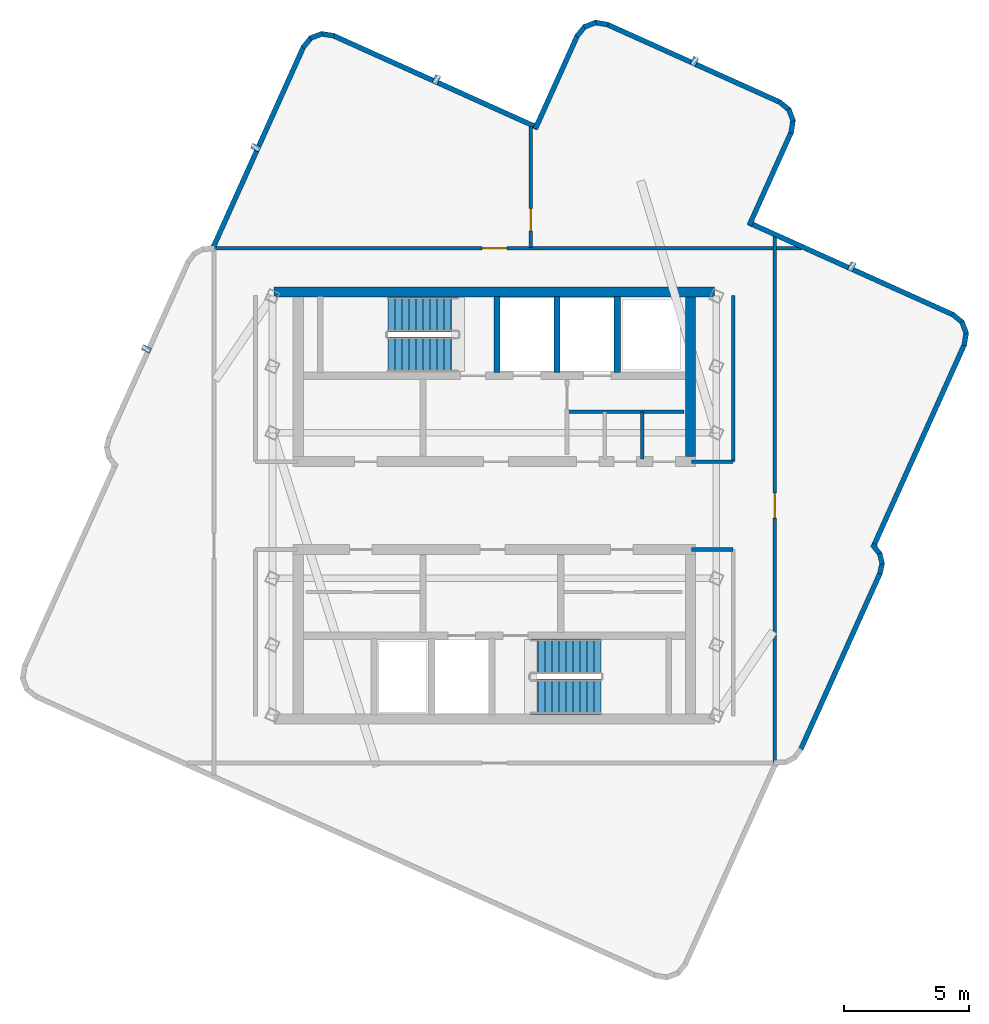
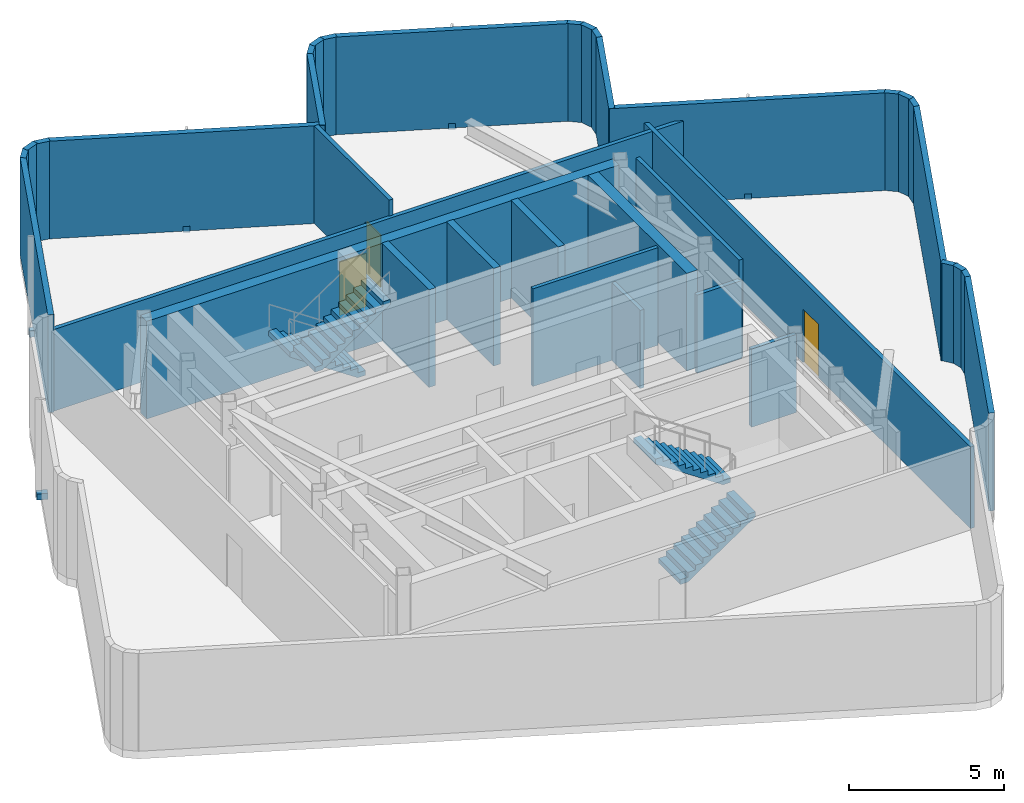
# One storey, part 3 of 4: 36 walls, 5 discrete accessories, 4 stair flights, 3 doors, 3 openings, 2 elements without a shape of their own.
"""IFC4 building model written with IfcOpenShell, lengths in metres."""

import ifcopenshell
import ifcopenshell.guid

model = None  # the IFC model being written
_history = None  # IfcOwnerHistory: only IFC2X3 demands one
_inside = {}  # id of a spatial element -> (the spatial element, [elements in it])
_under = {}  # id of a project, library or spatial element -> (it, [spatial elements below it])
_declared = {}  # id of a project -> (the project, [libraries it declares])
_typed = {}  # id of a type object -> (the type object, [elements of that type])
_made_of = {}  # id of a material, layer set ... -> (it, [elements and type objects made of it])


def new_model(schema):
    """Start an empty IFC model of exactly this schema.

    Asked for "IFC4X3", IfcOpenShell would pick the latest addendum, in which some entities
    have other attributes; the version numbers below select the first issue.
    IFC2X3 requires an IfcOwnerHistory on every rooted entity: one is made here for all.
    """
    global model, _history
    if schema == "IFC4X3":
        model = ifcopenshell.file(schema_version=(4, 3, 0, 0))
    else:
        model = ifcopenshell.file(schema=schema)
    _inside.clear()
    _under.clear()
    _declared.clear()
    _typed.clear()
    _made_of.clear()
    _history = None
    if model.schema == "IFC2X3":
        org = make("IfcOrganization", Name="unknown")
        user = make(
            "IfcPersonAndOrganization",
            ThePerson=make("IfcPerson", FamilyName="unknown"),
            TheOrganization=org,
        )
        app = make(
            "IfcApplication",
            ApplicationDeveloper=org,
            Version="unknown",
            ApplicationFullName="unknown",
            ApplicationIdentifier="unknown",
        )
        _history = make(
            "IfcOwnerHistory",
            OwningUser=user,
            OwningApplication=app,
            ChangeAction="ADDED",
            CreationDate=0,
        )
    return model


def make(cls, **values):
    """One entity of the class cls with the attributes given. An attribute that is None is left unset."""
    return model.create_entity(
        cls, **{name: value for name, value in values.items() if value is not None}
    )


def rooted(cls, **values):
    """An entity with a GlobalId (a new one), such as an element, a storey or a relation."""
    return make(cls, GlobalId=ifcopenshell.guid.new(), OwnerHistory=_history, **values)


def si_unit(unit_type, name, prefix=None):
    """IfcSIUnit, for example si_unit("LENGTHUNIT", "METRE", prefix="MILLI")."""
    return make("IfcSIUnit", UnitType=unit_type, Prefix=prefix, Name=name)


def assignment(units):
    """IfcUnitAssignment: the units of a project."""
    return None if units is None else make("IfcUnitAssignment", Units=units)


def point(xyz):
    """IfcCartesianPoint."""
    return None if xyz is None else make("IfcCartesianPoint", Coordinates=xyz)


def direction(xyz):
    """IfcDirection."""
    return None if xyz is None else make("IfcDirection", DirectionRatios=xyz)


def frame(location, z_axis=None, x_axis=None):
    """IfcAxis2Placement3D, a coordinate frame: its origin and axes. An axis left out is left unset."""
    return make(
        "IfcAxis2Placement3D",
        Location=point(location),
        Axis=direction(z_axis),
        RefDirection=direction(x_axis),
    )


def frame_2d(location, x_axis=None):
    """IfcAxis2Placement2D, a coordinate frame in the plane: its origin and x axis."""
    return make(
        "IfcAxis2Placement2D", Location=point(location), RefDirection=direction(x_axis)
    )


def origin():
    """The frame at (0, 0, 0) with its axes left unset."""
    return frame((0.0, 0.0, 0.0))


def origin_2d():
    """The frame at (0, 0) in the plane with its x axis left unset."""
    return frame_2d((0.0, 0.0))


def place(relative_to, where):
    """IfcLocalPlacement: puts the frame where relative to a parent placement (None: the world)."""
    return make(
        "IfcLocalPlacement", PlacementRelTo=relative_to, RelativePlacement=where
    )


def context(
    kind, dimensions, precision=None, world=None, true_north=None, identifier=None
):
    """IfcGeometricRepresentationContext, for example the 3D "Model" context."""
    return make(
        "IfcGeometricRepresentationContext",
        ContextIdentifier=identifier,
        ContextType=kind,
        CoordinateSpaceDimension=dimensions,
        Precision=precision,
        WorldCoordinateSystem=world,
        TrueNorth=true_north,
    )


def subcontext(parent, identifier, kind, view, scale=None):
    """IfcGeometricRepresentationSubContext, for example "Body" below "Model"."""
    return make(
        "IfcGeometricRepresentationSubContext",
        ContextIdentifier=identifier,
        ContextType=kind,
        ParentContext=parent,
        TargetScale=scale,
        TargetView=view,
    )


def project(units=None, contexts=None):
    """IfcProject with its units and contexts."""
    return rooted(
        "IfcProject",
        Name="project",
        RepresentationContexts=contexts,
        UnitsInContext=assignment(units),
    )


def spatial(cls, under=None, at=None, **own):
    """A site, building, storey or space (cls), placed at a placement, below another one or the project."""
    s = rooted(cls, ObjectPlacement=at, **own)
    if under is not None:
        _under.setdefault(under.id(), (under, []))[1].append(s)
    return s


def polyline(points):
    """IfcPolyline through the points."""
    return make("IfcPolyline", Points=[point(p) for p in points])


def profile(cls, at=None, kind="AREA", **sizes):
    """A parametric profile (cls). Its sizes go by their IFC names, for example OverallWidth=200.0."""
    return make(cls, ProfileType=kind, Position=at, **sizes)


def rectangle(**sizes):
    """IfcRectangleProfileDef."""
    return profile("IfcRectangleProfileDef", **sizes)


def outline(outer, holes=None, kind="AREA"):
    """IfcArbitraryClosedProfileDef: a profile drawn as a closed curve; with holes, ...WithVoids."""
    if holes is None:
        return make("IfcArbitraryClosedProfileDef", ProfileType=kind, OuterCurve=outer)
    return make(
        "IfcArbitraryProfileDefWithVoids",
        ProfileType=kind,
        OuterCurve=outer,
        InnerCurves=holes,
    )


def extrude(swept, where, along, depth):
    """IfcExtrudedAreaSolid: the profile swept, set in the frame where, extruded along a direction by depth."""
    return make(
        "IfcExtrudedAreaSolid",
        SweptArea=swept,
        Position=where,
        ExtrudedDirection=direction(along),
        Depth=depth,
    )


def shape(context_of_items, identifier, shape_type, items):
    """IfcShapeRepresentation: the items that make up one representation, for example the "Body"."""
    return make(
        "IfcShapeRepresentation",
        ContextOfItems=context_of_items,
        RepresentationIdentifier=identifier,
        RepresentationType=shape_type,
        Items=items,
    )


def material(Name=None, Category=None):
    """IfcMaterial."""
    return make("IfcMaterial", Name=Name, Category=Category)


def layer(
    of_material, thickness, ventilated=None, Name=None, Category=None, Priority=None
):
    """IfcMaterialLayer: one layer of a wall or slab, of a material (None: an air gap)."""
    return make(
        "IfcMaterialLayer",
        Material=of_material,
        LayerThickness=thickness,
        IsVentilated=ventilated,
        Name=Name,
        Category=Category,
        Priority=Priority,
    )


def layer_set(layers, Name=None):
    """IfcMaterialLayerSet."""
    return make("IfcMaterialLayerSet", MaterialLayers=layers, LayerSetName=Name)


def made_of(thing, what):
    """Note that an element or type object is made of a material, layer set ...; save() writes the relation."""
    if what is not None:
        _made_of.setdefault(what.id(), (what, []))[1].append(thing)
    return thing


def type_object(cls, material=None, **own):
    """A type object (cls), such as IfcWallType, which elements share."""
    return made_of(rooted(cls, **own), material)


def element(
    cls,
    number,
    at=None,
    inside=None,
    cuts=None,
    type_object=None,
    material=None,
    context=None,
    identifier="Body",
    shape_type=None,
    held_by="IfcProductDefinitionShape",
    body=None,
    shapes=None,
    **own,
):
    """One element of the class cls, such as IfcWall. Its Tag is "e" and its number.

    at: its placement. inside: the storey or other place that contains it. cuts: it is an
    opening in that element (IfcRelVoidsElement). A single representation is given by context,
    identifier, shape_type and body (its items); several are given by shapes. held_by: the class
    of the entity that holds the representations. save() writes the other relations.
    """
    e = rooted(cls, Tag="e%d" % number, ObjectPlacement=at, **own)
    if body is not None:
        shapes = [shape(context, identifier, shape_type, body)]
    if shapes is not None:
        e.Representation = make(held_by, Representations=shapes)
    if inside is not None:
        _inside.setdefault(inside.id(), (inside, []))[1].append(e)
    if cuts is not None:
        rooted(
            "IfcRelVoidsElement", RelatingBuildingElement=cuts, RelatedOpeningElement=e
        )
    if type_object is not None:
        _typed.setdefault(type_object.id(), (type_object, []))[1].append(e)
    return made_of(e, material)


def fill(opening, filler):
    """IfcRelFillsElement: the door or window that sits in an opening."""
    return rooted(
        "IfcRelFillsElement",
        RelatingOpeningElement=opening,
        RelatedBuildingElement=filler,
    )


def aggregate(whole, parts):
    """IfcRelAggregates: a whole, such as a stair, and the parts it consists of."""
    return rooted("IfcRelAggregates", RelatingObject=whole, RelatedObjects=parts)


def save(model, path):
    """Write the relations noted so far, then the file.

    IfcRelAggregates (storeys below a building ...), IfcRelContainedInSpatialStructure (elements
    in a storey), IfcRelDefinesByType, IfcRelAssociatesMaterial and IfcRelDeclares: one each for
    every whole, place, type object, material and project.
    """
    for whole, parts in _under.values():
        aggregate(whole, parts)
    for where, things in _inside.values():
        rooted(
            "IfcRelContainedInSpatialStructure",
            RelatedElements=things,
            RelatingStructure=where,
        )
    for kind, things in _typed.values():
        rooted("IfcRelDefinesByType", RelatedObjects=things, RelatingType=kind)
    for what, things in _made_of.values():
        rooted("IfcRelAssociatesMaterial", RelatedObjects=things, RelatingMaterial=what)
    for by, libraries in _declared.values():
        rooted("IfcRelDeclares", RelatingContext=by, RelatedDefinitions=libraries)
    model.write(path)


model = new_model("IFC4")

# Units and contexts
model_context = context("Model", 3, precision=1e-05, world=origin(), true_north=direction((0.0, 1.0)))
body_context = subcontext(model_context, "Body", "Model", "MODEL_VIEW")
ifc_project = project(units=[si_unit("LENGTHUNIT", "METRE"), si_unit("AREAUNIT", "SQUARE_METRE"), si_unit("VOLUMEUNIT", "CUBIC_METRE"), si_unit("PLANEANGLEUNIT", "RADIAN"), si_unit("MASSUNIT", "GRAM", prefix="KILO")], contexts=[model_context])

# Site, building, storey
site_placement = place(None, origin())
site = spatial("IfcSite", under=ifc_project, at=site_placement, CompositionType="ELEMENT")
building_placement = place(site_placement, origin())
building = spatial("IfcBuilding", under=site, at=building_placement, Name="Solmarez Civic Tower", CompositionType="ELEMENT")
storey_placement = place(building_placement, frame((0.0, 0.0, 297.5400390625)))
storey = spatial("IfcBuildingStorey", under=building, at=storey_placement, Name="L80 Crown", CompositionType="ELEMENT", Elevation=297.5400390625)

# Walls
ifc_material_1 = material(Name="Concrete C50/60", Category="concrete")
ifc_layer_1 = layer(ifc_material_1, 0.39990234375)
ifc_layer_set_1 = layer_set([ifc_layer_1], Name="Concrete C50/60")
wall_type_1 = type_object("IfcWallType", Name="WALL-CORE-400", PredefinedType="SHEAR", material=ifc_layer_set_1)
wall_1_placement = place(storey_placement, frame((-8.780029296875, 8.510009765625, 0.0), z_axis=(0.0, 0.0, 1.0), x_axis=(1.0, 0.0, 0.0)))
element("IfcWall", 1, at=wall_1_placement, inside=storey, type_object=wall_type_1, Name="L80 Crown Split-Core Structural Wall NCW-N-L80 Crown", PredefinedType="SHEAR", context=body_context, shape_type="SweptSolid", body=[
    extrude(rectangle(XDim=17.56005859375, YDim=0.39990234375, at=frame_2d((8.780029296875, 0.0))), origin(), (0.0, 0.0, 1.0), 3.83984375),
])
wall_2_placement = place(storey_placement, frame((7.820068359375, 8.31005859375, 0.0), z_axis=(0.0, 0.0, 1.0), x_axis=(0.0, -1.0, 0.0)))
element("IfcWall", 2, at=wall_2_placement, inside=storey, type_object=wall_type_1, Name="L80 Crown Split-Core Structural Wall NCW-E-L80 Crown", PredefinedType="SHEAR", context=body_context, shape_type="SweptSolid", body=[
    extrude(rectangle(XDim=6.360107421875, YDim=0.39990234375, at=frame_2d((3.18017578125, 0.0))), origin(), (0.0, 0.0, 1.0), 3.83984375),
])
ifc_material_2 = material(Name="Precast concrete C40/50", Category="concrete")
ifc_layer_2 = layer(ifc_material_2, 0.199951171875)
ifc_layer_set_2 = layer_set([ifc_layer_2], Name="Precast concrete C40/50")
wall_type_2 = type_object("IfcWallType", Name="WALL-EXT-200", PredefinedType="SOLIDWALL", material=ifc_layer_set_2)
wall_3_placement = place(storey_placement, frame((-11.263916015625, 10.178955078125, 0.0), z_axis=(0.0, 0.0, 1.0), x_axis=(0.410547059118, 0.911839411437, 0.0)))
element("IfcWall", 3, at=wall_3_placement, inside=storey, type_object=wall_type_2, Name="L80 Crown Exterior Precast Wall 10", PredefinedType="SOLIDWALL", context=body_context, shape_type="SweptSolid", body=[
    extrude(rectangle(XDim=8.9052734375, YDim=0.199951171875, at=frame_2d((4.45263671875, 0.0))), origin(), (0.0, 0.0, 1.0), 3.83984375),
])
wall_4_placement = place(storey_placement, frame((-7.634033203125, 18.257080078125, 0.0), z_axis=(0.0, 0.0, 1.0), x_axis=(0.63346470779, 0.773771583857, 0.0)))
element("IfcWall", 4, at=wall_4_placement, inside=storey, type_object=wall_type_2, Name="L80 Crown Exterior Precast Wall 11", PredefinedType="SOLIDWALL", context=body_context, shape_type="SweptSolid", body=[
    extrude(rectangle(XDim=0.52734375, YDim=0.199951171875, at=frame_2d((0.263671875, 0.0))), origin(), (0.0, 0.0, 1.0), 3.83984375),
])
wall_5_placement = place(storey_placement, frame((-7.339111328125, 18.636962890625, 0.0), z_axis=(0.0, 0.0, 1.0), x_axis=(0.935013831521, 0.354611244695, 0.0)))
element("IfcWall", 5, at=wall_5_placement, inside=storey, type_object=wall_type_2, Name="L80 Crown Exterior Precast Wall 12", PredefinedType="SOLIDWALL", context=body_context, shape_type="SweptSolid", body=[
    extrude(rectangle(XDim=0.513671875, YDim=0.199951171875, at=frame_2d((0.2568359375, 0.0))), origin(), (0.0, 0.0, 1.0), 3.83984375),
])
wall_6_placement = place(storey_placement, frame((-6.906982421875, 18.81396484375, 0.0), z_axis=(0.0, 0.0, 1.0), x_axis=(0.987255192858, -0.159145166984, 0.0)))
element("IfcWall", 6, at=wall_6_placement, inside=storey, type_object=wall_type_2, Name="L80 Crown Exterior Precast Wall 13", PredefinedType="SOLIDWALL", context=body_context, shape_type="SweptSolid", body=[
    extrude(rectangle(XDim=0.52783203125, YDim=0.199951171875, at=frame_2d((0.263916015625, 0.0))), origin(), (0.0, 0.0, 1.0), 3.83984375),
])
wall_7_placement = place(storey_placement, frame((-6.43408203125, 18.743896484375, 0.0), z_axis=(0.0, 0.0, 1.0), x_axis=(0.911836374838, -0.410553803445, 0.0)))
element("IfcWall", 7, at=wall_7_placement, inside=storey, type_object=wall_type_2, Name="L80 Crown Exterior Precast Wall 14", PredefinedType="SOLIDWALL", context=body_context, shape_type="SweptSolid", body=[
    extrude(rectangle(XDim=8.96337890625, YDim=0.199951171875, at=frame_2d((4.481689453125, 0.0))), origin(), (0.0, 0.0, 1.0), 3.83984375),
])
wall_8_placement = place(storey_placement, frame((1.633056640625, 15.02392578125, 0.0), z_axis=(0.0, 0.0, 1.0), x_axis=(0.410578530723, 0.911825240991, 0.0)))
element("IfcWall", 8, at=wall_8_placement, inside=storey, type_object=wall_type_2, Name="L80 Crown Exterior Precast Wall 17", PredefinedType="SOLIDWALL", context=body_context, shape_type="SweptSolid", body=[
    extrude(rectangle(XDim=4.08203125, YDim=0.199951171875, at=frame_2d((2.041015625, 0.0))), origin(), (0.0, 0.0, 1.0), 3.83984375),
])
wall_9_placement = place(storey_placement, frame((3.282958984375, 18.7041015625, 0.0), z_axis=(0.0, 0.0, 1.0), x_axis=(0.63346470779, 0.773771583857, 0.0)))
element("IfcWall", 9, at=wall_9_placement, inside=storey, type_object=wall_type_2, Name="L80 Crown Exterior Precast Wall 18", PredefinedType="SOLIDWALL", context=body_context, shape_type="SweptSolid", body=[
    extrude(rectangle(XDim=0.52734375, YDim=0.199951171875, at=frame_2d((0.263671875, 0.0))), origin(), (0.0, 0.0, 1.0), 3.83984375),
])
wall_10_placement = place(storey_placement, frame((3.577880859375, 19.083984375, 0.0), z_axis=(0.0, 0.0, 1.0), x_axis=(0.934382341008, 0.356271863628, 0.0)))
element("IfcWall", 10, at=wall_10_placement, inside=storey, type_object=wall_type_2, Name="L80 Crown Exterior Precast Wall 19", PredefinedType="SOLIDWALL", context=body_context, shape_type="SweptSolid", body=[
    extrude(rectangle(XDim=0.513916015625, YDim=0.199951171875, at=frame_2d((0.2568359375, 0.0))), origin(), (0.0, 0.0, 1.0), 3.83984375),
])
wall_11_placement = place(storey_placement, frame((4.010009765625, 19.261962890625, 0.0), z_axis=(0.0, 0.0, 1.0), x_axis=(0.986962883563, -0.160948024124, 0.0)))
element("IfcWall", 11, at=wall_11_placement, inside=storey, type_object=wall_type_2, Name="L80 Crown Exterior Precast Wall 20", PredefinedType="SOLIDWALL", context=body_context, shape_type="SweptSolid", body=[
    extrude(rectangle(XDim=0.52783203125, YDim=0.199951171875, at=frame_2d((0.263916015625, 0.0))), origin(), (0.0, 0.0, 1.0), 3.83984375),
])
wall_12_placement = place(storey_placement, frame((4.48291015625, 19.19091796875, 0.0), z_axis=(0.0, 0.0, 1.0), x_axis=(0.911897403985, -0.410418231327, 0.0)))
element("IfcWall", 12, at=wall_12_placement, inside=storey, type_object=wall_type_2, Name="L80 Crown Exterior Precast Wall 21", PredefinedType="SOLIDWALL", context=body_context, shape_type="SweptSolid", body=[
    extrude(rectangle(XDim=7.58203125, YDim=0.199951171875, at=frame_2d((3.791015625, 0.0))), origin(), (0.0, 0.0, 1.0), 3.83984375),
])
wall_13_placement = place(storey_placement, frame((11.35498046875, 16.10498046875, 0.0), z_axis=(0.0, 0.0, 1.0), x_axis=(0.773771583857, -0.63346470779, 0.0)))
element("IfcWall", 13, at=wall_13_placement, inside=storey, type_object=wall_type_2, Name="L80 Crown Exterior Precast Wall 22", PredefinedType="SOLIDWALL", context=body_context, shape_type="SweptSolid", body=[
    extrude(rectangle(XDim=0.52734375, YDim=0.199951171875, at=frame_2d((0.263671875, 0.0))), origin(), (0.0, 0.0, 1.0), 3.83984375),
])
wall_14_placement = place(storey_placement, frame((11.735107421875, 15.81005859375, 0.0), z_axis=(0.0, 0.0, 1.0), x_axis=(0.354353107799, -0.935111691186, 0.0)))
element("IfcWall", 14, at=wall_14_placement, inside=storey, type_object=wall_type_2, Name="L80 Crown Exterior Precast Wall 23", PredefinedType="SOLIDWALL", context=body_context, shape_type="SweptSolid", body=[
    extrude(rectangle(XDim=0.51318359375, YDim=0.199951171875, at=frame_2d((0.256591796875, 0.0))), origin(), (0.0, 0.0, 1.0), 3.83984375),
])
wall_15_placement = place(storey_placement, frame((11.912109375, 15.3779296875, 0.0), z_axis=(0.0, 0.0, 1.0), x_axis=(-0.15930502645, -0.987229410293, 0.0)))
element("IfcWall", 15, at=wall_15_placement, inside=storey, type_object=wall_type_2, Name="L80 Crown Exterior Precast Wall 24", PredefinedType="SOLIDWALL", context=body_context, shape_type="SweptSolid", body=[
    extrude(rectangle(XDim=0.52880859375, YDim=0.199951171875, at=frame_2d((0.264404296875, 0.0))), origin(), (0.0, 0.0, 1.0), 3.83984375),
])
wall_16_placement = place(storey_placement, frame((11.842041015625, 14.904052734375, 0.0), z_axis=(0.0, 0.0, 1.0), x_axis=(-0.410578530723, -0.911825240991, 0.0)))
element("IfcWall", 16, at=wall_16_placement, inside=storey, type_object=wall_type_2, Name="L80 Crown Exterior Precast Wall 25", PredefinedType="SOLIDWALL", context=body_context, shape_type="SweptSolid", body=[
    extrude(rectangle(XDim=4.08203125, YDim=0.199951171875, at=frame_2d((2.041015625, 0.0))), origin(), (0.0, 0.0, 1.0), 3.83984375),
])
wall_17_placement = place(storey_placement, frame((10.1259765625, 11.2880859375, 0.0), z_axis=(0.0, 0.0, 1.0), x_axis=(0.911826178024, -0.410576449728, 0.0)))
element("IfcWall", 17, at=wall_17_placement, inside=storey, type_object=wall_type_2, Name="L80 Crown Exterior Precast Wall 28", PredefinedType="SOLIDWALL", context=body_context, shape_type="SweptSolid", body=[
    extrude(rectangle(XDim=8.96337890625, YDim=0.199951171875, at=frame_2d((4.481689453125, 0.0))), origin(), (0.0, 0.0, 1.0), 3.83984375),
])
wall_18_placement = place(storey_placement, frame((18.257080078125, 7.634033203125, 0.0), z_axis=(0.0, 0.0, 1.0), x_axis=(0.773771583857, -0.63346470779, 0.0)))
element("IfcWall", 18, at=wall_18_placement, inside=storey, type_object=wall_type_2, Name="L80 Crown Exterior Precast Wall 29", PredefinedType="SOLIDWALL", context=body_context, shape_type="SweptSolid", body=[
    extrude(rectangle(XDim=0.52734375, YDim=0.199951171875, at=frame_2d((0.263671875, 0.0))), origin(), (0.0, 0.0, 1.0), 3.83984375),
])
wall_19_placement = place(storey_placement, frame((18.636962890625, 7.339111328125, 0.0), z_axis=(0.0, 0.0, 1.0), x_axis=(0.354611244695, -0.935013831521, 0.0)))
element("IfcWall", 19, at=wall_19_placement, inside=storey, type_object=wall_type_2, Name="L80 Crown Exterior Precast Wall 30", PredefinedType="SOLIDWALL", context=body_context, shape_type="SweptSolid", body=[
    extrude(rectangle(XDim=0.513671875, YDim=0.199951171875, at=frame_2d((0.2568359375, 0.0))), origin(), (0.0, 0.0, 1.0), 3.83984375),
])
wall_20_placement = place(storey_placement, frame((18.81396484375, 6.906982421875, 0.0), z_axis=(0.0, 0.0, 1.0), x_axis=(-0.159145166984, -0.987255192858, 0.0)))
element("IfcWall", 20, at=wall_20_placement, inside=storey, type_object=wall_type_2, Name="L80 Crown Exterior Precast Wall 31", PredefinedType="SOLIDWALL", context=body_context, shape_type="SweptSolid", body=[
    extrude(rectangle(XDim=0.52783203125, YDim=0.199951171875, at=frame_2d((0.263916015625, 0.0))), origin(), (0.0, 0.0, 1.0), 3.83984375),
])
wall_21_placement = place(storey_placement, frame((18.743896484375, 6.43408203125, 0.0), z_axis=(0.0, 0.0, 1.0), x_axis=(-0.410506010515, -0.911857892071, 0.0)))
element("IfcWall", 21, at=wall_21_placement, inside=storey, type_object=wall_type_2, Name="L80 Crown Exterior Precast Wall 32", PredefinedType="SOLIDWALL", context=body_context, shape_type="SweptSolid", body=[
    extrude(rectangle(XDim=8.906005859375, YDim=0.199951171875, at=frame_2d((4.453125, 0.0))), origin(), (0.0, 0.0, 1.0), 3.83984375),
])
wall_22_placement = place(storey_placement, frame((15.071044921875, -1.551025390625, 0.0), z_axis=(0.0, 0.0, 1.0), x_axis=(0.621271987863, -0.783594995579, 0.0)))
element("IfcWall", 22, at=wall_22_placement, inside=storey, type_object=wall_type_2, Name="L80 Crown Exterior Precast Wall 35", PredefinedType="SOLIDWALL", context=body_context, shape_type="SweptSolid", body=[
    extrude(rectangle(XDim=0.50537109375, YDim=0.199951171875, at=frame_2d((0.252685546875, 0.0))), origin(), (0.0, 0.0, 1.0), 3.83984375),
])
wall_23_placement = place(storey_placement, frame((15.363037109375, -1.903076171875, 0.0), z_axis=(0.0, 0.0, 1.0), x_axis=(0.230841504765, -0.972991366703, 0.0)))
element("IfcWall", 23, at=wall_23_placement, inside=storey, type_object=wall_type_2, Name="L80 Crown Exterior Precast Wall 36", PredefinedType="SOLIDWALL", context=body_context, shape_type="SweptSolid", body=[
    extrude(rectangle(XDim=0.437744140625, YDim=0.199951171875, at=frame_2d((0.21875, 0.0))), origin(), (0.0, 0.0, 1.0), 3.83984375),
])
wall_24_placement = place(storey_placement, frame((15.462890625, -2.281005859375, 0.0), z_axis=(0.0, 0.0, 1.0), x_axis=(-0.202605604036, -0.979260419507, 0.0)))
element("IfcWall", 24, at=wall_24_placement, inside=storey, type_object=wall_type_2, Name="L80 Crown Exterior Precast Wall 37", PredefinedType="SOLIDWALL", context=body_context, shape_type="SweptSolid", body=[
    extrude(rectangle(XDim=0.4482421875, YDim=0.199951171875, at=frame_2d((0.22412109375, 0.0))), origin(), (0.0, 0.0, 1.0), 3.83984375),
])
wall_25_placement = place(storey_placement, frame((15.386962890625, -2.673095703125, 0.0), z_axis=(0.0, 0.0, 1.0), x_axis=(-0.41050728393, -0.911857318795, 0.0)))
element("IfcWall", 25, at=wall_25_placement, inside=storey, type_object=wall_type_2, Name="L80 Crown Exterior Precast Wall 38", PredefinedType="SOLIDWALL", context=body_context, shape_type="SweptSolid", body=[
    extrude(rectangle(XDim=7.7587890625, YDim=0.199951171875, at=frame_2d((3.87939453125, 0.0))), origin(), (0.0, 0.0, 1.0), 3.83984375),
])
ifc_material_3 = material(Name="Gypsum Board Acoustic Steel-Stud Partition", Category="steel")
ifc_layer_3 = layer(ifc_material_3, 0.14990234375)
ifc_layer_set_3 = layer_set([ifc_layer_3], Name="Gypsum Board Acoustic Steel-Stud Partition")
wall_type_3 = type_object("IfcWallType", Name="WALL-INT-FIRE-150", PredefinedType="PARTITIONING", material=ifc_layer_set_3)
wall_26_placement = place(storey_placement, frame((9.52001953125, 1.75, 0.0), z_axis=(0.0, 0.0, 1.0), x_axis=(0.0, 1.0, 0.0)))
element("IfcWall", 26, at=wall_26_placement, inside=storey, type_object=wall_type_3, Name="L80 Crown Interior Partition CHW-L80 Crown-EN1", PredefinedType="PARTITIONING", context=body_context, shape_type="SweptSolid", body=[
    extrude(rectangle(XDim=6.6298828125, YDim=0.14990234375, at=frame_2d((3.31494140625, 0.0))), origin(), (0.0, 0.0, 1.0), 3.83984375),
])
for number, where, z_axis, x_axis, name in (
    (27, (7.85009765625, 1.75, 0.0), (0.0, 0.0, 1.0), (1.0, 0.0, 0.0), "L80 Crown Interior Partition CHW-L80 Crown-EN3"),
    (28, (7.85009765625, -1.75, 0.0), (0.0, 0.0, 1.0), (1.0, 0.0, 0.0), "L80 Crown Interior Partition CHW-L80 Crown-ES3"),
):
    element("IfcWall", number, at=place(storey_placement, frame(where, z_axis=z_axis, x_axis=x_axis)), inside=storey, type_object=wall_type_3, Name=name, PredefinedType="PARTITIONING", context=body_context, shape_type="SweptSolid", body=[
        extrude(rectangle(XDim=1.669921875, YDim=0.14990234375, at=frame_2d((0.8349609375, 0.0))), origin(), (0.0, 0.0, 1.0), 3.070068359375),
    ])

# Wall, opening, door
wall_27_placement = place(storey_placement, frame((11.179931640625, 10.741943359375, 0.0), z_axis=(0.0, 0.0, 1.0), x_axis=(0.0, -1.0, 0.0)))
wall_27 = element("IfcWall", 29, at=wall_27_placement, inside=storey, type_object=wall_type_3, Name="L80 Crown Interior Partition PT-L80 Crown-E", PredefinedType="PARTITIONING", context=body_context, shape_type="SweptSolid", body=[
    extrude(rectangle(XDim=21.02001953125, YDim=0.14990234375, at=frame_2d((10.510009765625, 0.0))), origin(), (0.0, 0.0, 1.0), 3.2099609375),
])
opening_1_placement = place(wall_27_placement, frame((10.241943359375, 0.0, 0.0)))
opening_1 = element("IfcOpeningElement", 30, at=opening_1_placement, cuts=wall_27, Name="Opening D-04", PredefinedType="OPENING", context=body_context, shape_type="SweptSolid", body=[
    extrude(rectangle(XDim=1.0, YDim=2.10009765625, at=frame_2d((0.5, 1.050048828125))), frame((0.0, 0.0849609375, 0.0), z_axis=(0.0, -1.0, 0.0), x_axis=(1.0, 0.0, 0.0)), (0.0, 0.0, 1.0), 0.169921875),
])
ifc_material_4 = material(Name="Steel-Faced Acoustic Fire Door", Category="steel")
door_type_1 = type_object("IfcDoorType", Name="DOOR-FD60-1000", OperationType="NOTDEFINED", PredefinedType="DOOR", material=ifc_material_4)
door_1_placement = place(opening_1_placement, origin())
door_1 = element("IfcDoor", 31, at=door_1_placement, inside=storey, type_object=door_type_1, Name="L80 Crown Crown Chiller Plant Room Door", OperationType="SINGLE_SWING_LEFT", OverallHeight=2.10009765625, OverallWidth=1.0, PredefinedType="DOOR", context=body_context, shape_type="SweptSolid", body=[
    extrude(rectangle(XDim=1.0, YDim=2.10009765625, at=frame_2d((0.5, 1.050048828125))), frame((0.0, 0.02490234375, 0.0), z_axis=(0.0, -1.0, 0.0), x_axis=(1.0, 0.0, 0.0)), (0.0, 0.0, 1.0), 0.050048828125),
])
fill(opening_1, door_1)

wall_28_placement = place(storey_placement, frame((-11.194091796875, 10.260009765625, 0.0), z_axis=(0.0, 0.0, 1.0), x_axis=(1.0, 0.0, 0.0)))
wall_28 = element("IfcWall", 32, at=wall_28_placement, inside=storey, type_object=wall_type_3, Name="L80 Crown Interior Partition PT-L80 Crown-N", PredefinedType="PARTITIONING", context=body_context, shape_type="SweptSolid", body=[
    extrude(rectangle(XDim=23.445068359375, YDim=0.14990234375, at=frame_2d((11.72265625, 0.0))), origin(), (0.0, 0.0, 1.0), 3.2099609375),
])
opening_2_placement = place(wall_28_placement, frame((10.694091796875, 0.0, 0.0)))
opening_2 = element("IfcOpeningElement", 33, at=opening_2_placement, cuts=wall_28, Name="Opening D-04", PredefinedType="OPENING", context=body_context, shape_type="SweptSolid", body=[
    extrude(rectangle(XDim=1.0, YDim=2.10009765625, at=frame_2d((0.5, 1.050048828125))), frame((0.0, 0.0849609375, 0.0), z_axis=(0.0, -1.0, 0.0), x_axis=(1.0, 0.0, 0.0)), (0.0, 0.0, 1.0), 0.169921875),
])
door_2_placement = place(opening_2_placement, origin())
door_2 = element("IfcDoor", 34, at=door_2_placement, inside=storey, type_object=door_type_1, Name="L80 Crown Cooling Tower Plant Room Door", OperationType="SINGLE_SWING_RIGHT", OverallHeight=2.10009765625, OverallWidth=1.0, PredefinedType="DOOR", context=body_context, shape_type="SweptSolid", body=[
    extrude(rectangle(XDim=1.0, YDim=2.10009765625, at=frame_2d((0.5, 1.050048828125))), frame((0.0, 0.02490234375, 0.0), z_axis=(0.0, -1.0, 0.0), x_axis=(1.0, 0.0, 0.0)), (0.0, 0.0, 1.0), 0.050048828125),
])
fill(opening_2, door_2)

wall_29_placement = place(storey_placement, frame((1.449951171875, 15.1240234375, 0.0), z_axis=(0.0, 0.0, 1.0), x_axis=(0.0, -1.0, 0.0)))
wall_29 = element("IfcWall", 35, at=wall_29_placement, inside=storey, type_object=wall_type_3, Name="L80 Crown Interior Partition PT-L80 Crown-NMID", PredefinedType="PARTITIONING", context=body_context, shape_type="SweptSolid", body=[
    extrude(rectangle(XDim=4.823974609375, YDim=0.14990234375, at=frame_2d((2.412109375, 0.0))), origin(), (0.0, 0.0, 1.0), 3.83984375),
])
opening_3_placement = place(wall_29_placement, frame((3.27392578125, 0.0, 0.0)))
opening_3 = element("IfcOpeningElement", 36, at=opening_3_placement, cuts=wall_29, Name="Opening D-09", PredefinedType="OPENING", context=body_context, shape_type="SweptSolid", body=[
    extrude(rectangle(XDim=0.89990234375, YDim=2.06005859375, at=frame_2d((0.449951171875, 1.030029296875))), frame((0.0, 0.0849609375, 0.0), z_axis=(0.0, -1.0, 0.0), x_axis=(1.0, 0.0, 0.0)), (0.0, 0.0, 1.0), 0.169921875),
])
ifc_material_5 = material(Name="Fire-Rated Service Core Door", Category="wood")
door_type_2 = type_object("IfcDoorType", Name="DOOR-FD60-900", OperationType="NOTDEFINED", PredefinedType="DOOR", material=ifc_material_5)
door_3_placement = place(opening_3_placement, origin())
door_3 = element("IfcDoor", 37, at=door_3_placement, inside=storey, type_object=door_type_2, Name="L80 Crown Cooling Control Bay Door", OperationType="SINGLE_SWING_LEFT", OverallHeight=2.06005859375, OverallWidth=0.89990234375, PredefinedType="DOOR", context=body_context, shape_type="SweptSolid", body=[
    extrude(rectangle(XDim=0.89990234375, YDim=2.06005859375, at=frame_2d((0.449951171875, 1.030029296875))), frame((0.0, 0.02490234375, 0.0), z_axis=(0.0, -1.0, 0.0), x_axis=(1.0, 0.0, 0.0)), (0.0, 0.0, 1.0), 0.050048828125),
])
fill(opening_3, door_3)

# Walls
ifc_layer_4 = layer(ifc_material_3, 0.137939453125)
ifc_layer_set_4 = layer_set([ifc_layer_4], Name="Gypsum Board Acoustic Steel-Stud Partition")
wall_type_4 = type_object("IfcWallType", Name="WALL-INT-WET-140", PredefinedType="PARTITIONING", material=ifc_layer_set_4)
wall_30_placement = place(storey_placement, frame((2.89990234375, 3.739990234375, 0.0), z_axis=(0.0, 0.0, 1.0), x_axis=(1.0, 0.0, 0.0)))
element("IfcWall", 38, at=wall_30_placement, inside=storey, type_object=wall_type_4, Name="L80 Crown Interior Partition SHW-SVH-L80 Crown", PredefinedType="PARTITIONING", context=body_context, shape_type="SweptSolid", body=[
    extrude(rectangle(XDim=4.650146484375, YDim=0.137939453125, at=frame_2d((2.3251953125, 0.0))), origin(), (0.0, 0.0, 1.0), 3.83984375),
])
wall_31_placement = place(storey_placement, frame((5.89990234375, 1.85009765625, 0.0), z_axis=(0.0, 0.0, 1.0), x_axis=(0.0, 1.0, 0.0)))
element("IfcWall", 39, at=wall_31_placement, inside=storey, type_object=wall_type_4, Name="L80 Crown Interior Partition PT-NCSV2-L80 Crown", PredefinedType="PARTITIONING", context=body_context, shape_type="SweptSolid", body=[
    extrude(rectangle(XDim=1.889892578125, YDim=0.137939453125, at=frame_2d((0.94482421875, 0.0))), origin(), (0.0, 0.0, 1.0), 3.070068359375),
])
ifc_layer_5 = layer(ifc_material_1, 0.300048828125)
ifc_layer_set_5 = layer_set([ifc_layer_5], Name="Concrete C50/60")
wall_type_5 = type_object("IfcWallType", Name="WALL-STR-300", PredefinedType="SOLIDWALL", material=ifc_layer_set_5)
for number, where, z_axis, x_axis, name in (
    (40, (0.10009765625, 5.300048828125, 0.0), (0.0, 0.0, 1.0), (0.0, 1.0, 0.0), "L80 Crown Split-Core Structural Wall SHW-N1-L80 Crown"),
    (41, (2.5, 5.300048828125, 0.0), (0.0, 0.0, 1.0), (0.0, 1.0, 0.0), "L80 Crown Split-Core Structural Wall SHW-N2-L80 Crown"),
    (42, (4.89990234375, 5.300048828125, 0.0), (0.0, 0.0, 1.0), (0.0, 1.0, 0.0), "L80 Crown Split-Core Structural Wall SHW-N3-L80 Crown"),
):
    element("IfcWall", number, at=place(storey_placement, frame(where, z_axis=z_axis, x_axis=x_axis)), inside=storey, type_object=wall_type_5, Name=name, PredefinedType="SOLIDWALL", context=body_context, shape_type="SweptSolid", body=[
        extrude(rectangle(XDim=3.0400390625, YDim=0.25, at=frame_2d((1.52001953125, 0.0))), origin(), (0.0, 0.0, 1.0), 3.83984375),
    ])

# Stair, stair flights
stair_type = type_object("IfcStairType", Name="STAIR-DOGLEG-140W-22R-1882", PredefinedType="HALF_TURN_STAIR", material=ifc_material_1)
stair_1_placement = place(storey_placement, origin())
stair_1 = element("IfcStair", 43, at=stair_1_placement, inside=storey, type_object=stair_type, Name="L80 Crown North Core Protected Exit Stair ST-1", PredefinedType="HALF_TURN_STAIR")
stair_flight_type = type_object("IfcStairFlightType", Name="FLIGHT-DOGLEG-140W-11R-1882", PredefinedType="STRAIGHT", material=ifc_material_1)
stair_flight_1_placement = place(storey_placement, frame((-1.449951171875, 7.6201171875, 0.0), z_axis=(0.0, 0.0, 1.0), x_axis=(-1.0, 0.0, 0.0)))
stair_flight_1 = element("IfcStairFlight", 44, at=stair_flight_1_placement, type_object=stair_flight_type, Name="ST-1 flight 1", NumberOfRisers=11, NumberOfTreads=10, PredefinedType="STRAIGHT", RiserHeight=0.188181818, TreadLength=0.28, context=body_context, shape_type="SweptSolid", body=[
    extrude(outline(polyline([(0.0, 0.0), (0.0, 0.188232421875), (0.280029296875, 0.188232421875), (0.280029296875, 0.37646484375), (0.56005859375, 0.37646484375), (0.56005859375, 0.564453125), (0.840087890625, 0.564453125), (0.840087890625, 0.752685546875), (1.1201171875, 0.752685546875), (1.1201171875, 0.94091796875), (1.39990234375, 0.94091796875), (1.39990234375, 1.129150390625), (1.679931640625, 1.129150390625), (1.679931640625, 1.3173828125), (1.9599609375, 1.3173828125), (1.9599609375, 1.50537109375), (2.239990234375, 1.50537109375), (2.239990234375, 1.693603515625), (2.52001953125, 1.693603515625), (2.52001953125, 1.8818359375), (2.800048828125, 1.8818359375), (2.800048828125, 2.070068359375), (2.800048828125, 1.689208984375), (0.28662109375, 0.0), (0.0, 0.0)])), frame((0.0, 0.699951171875, 0.0), z_axis=(0.0, -1.0, 0.0), x_axis=(1.0, 0.0, 0.0)), (0.0, 0.0, 1.0), 1.39990234375),
])
stair_flight_2_placement = place(storey_placement, frame((-4.25, 6.02001953125, 2.070068359375), z_axis=(0.0, 0.0, 1.0), x_axis=(1.0, 0.0, 0.0)))
stair_flight_2 = element("IfcStairFlight", 45, at=stair_flight_2_placement, type_object=stair_flight_type, Name="ST-1 flight 2", NumberOfRisers=11, NumberOfTreads=10, PredefinedType="STRAIGHT", RiserHeight=0.188181818, TreadLength=0.28, context=body_context, shape_type="SweptSolid", body=[
    extrude(outline(polyline([(0.0, 0.0), (0.0, 0.188232421875), (0.280029296875, 0.188232421875), (0.280029296875, 0.37646484375), (0.56005859375, 0.37646484375), (0.56005859375, 0.564453125), (0.840087890625, 0.564453125), (0.840087890625, 0.752685546875), (1.1201171875, 0.752685546875), (1.1201171875, 0.94091796875), (1.39990234375, 0.94091796875), (1.39990234375, 1.129150390625), (1.679931640625, 1.129150390625), (1.679931640625, 1.3173828125), (1.9599609375, 1.3173828125), (1.9599609375, 1.50537109375), (2.239990234375, 1.50537109375), (2.239990234375, 1.693603515625), (2.52001953125, 1.693603515625), (2.52001953125, 1.8818359375), (2.800048828125, 1.8818359375), (2.800048828125, 2.070068359375), (2.800048828125, 1.689208984375), (0.28662109375, 0.0), (0.0, 0.0)])), frame((0.0, 0.699951171875, 0.0), z_axis=(0.0, -1.0, 0.0), x_axis=(1.0, 0.0, 0.0)), (0.0, 0.0, 1.0), 1.39990234375),
])
aggregate(stair_1, [stair_flight_1, stair_flight_2])

stair_2_placement = place(storey_placement, origin())
stair_2 = element("IfcStair", 46, at=stair_2_placement, inside=storey, type_object=stair_type, Name="L80 Crown South Core Protected Exit Stair ST-2", PredefinedType="HALF_TURN_STAIR")
stair_flight_3_placement = place(storey_placement, frame((1.449951171875, -7.6201171875, 0.0), z_axis=(0.0, 0.0, 1.0), x_axis=(1.0, 0.0, 0.0)))
stair_flight_3 = element("IfcStairFlight", 47, at=stair_flight_3_placement, type_object=stair_flight_type, Name="ST-2 flight 1", NumberOfRisers=11, NumberOfTreads=10, PredefinedType="STRAIGHT", RiserHeight=0.188181818, TreadLength=0.28, context=body_context, shape_type="SweptSolid", body=[
    extrude(outline(polyline([(0.0, 0.0), (0.0, 0.188232421875), (0.280029296875, 0.188232421875), (0.280029296875, 0.37646484375), (0.56005859375, 0.37646484375), (0.56005859375, 0.564453125), (0.840087890625, 0.564453125), (0.840087890625, 0.752685546875), (1.1201171875, 0.752685546875), (1.1201171875, 0.94091796875), (1.39990234375, 0.94091796875), (1.39990234375, 1.129150390625), (1.679931640625, 1.129150390625), (1.679931640625, 1.3173828125), (1.9599609375, 1.3173828125), (1.9599609375, 1.50537109375), (2.239990234375, 1.50537109375), (2.239990234375, 1.693603515625), (2.52001953125, 1.693603515625), (2.52001953125, 1.8818359375), (2.800048828125, 1.8818359375), (2.800048828125, 2.070068359375), (2.800048828125, 1.689208984375), (0.28662109375, 0.0), (0.0, 0.0)])), frame((0.0, 0.699951171875, 0.0), z_axis=(0.0, -1.0, 0.0), x_axis=(1.0, 0.0, 0.0)), (0.0, 0.0, 1.0), 1.39990234375),
])
stair_flight_4_placement = place(storey_placement, frame((4.25, -6.02001953125, 2.070068359375), z_axis=(0.0, 0.0, 1.0), x_axis=(-1.0, 0.0, 0.0)))
stair_flight_4 = element("IfcStairFlight", 48, at=stair_flight_4_placement, type_object=stair_flight_type, Name="ST-2 flight 2", NumberOfRisers=11, NumberOfTreads=10, PredefinedType="STRAIGHT", RiserHeight=0.188181818, TreadLength=0.28, context=body_context, shape_type="SweptSolid", body=[
    extrude(outline(polyline([(0.0, 0.0), (0.0, 0.188232421875), (0.280029296875, 0.188232421875), (0.280029296875, 0.37646484375), (0.56005859375, 0.37646484375), (0.56005859375, 0.564453125), (0.840087890625, 0.564453125), (0.840087890625, 0.752685546875), (1.1201171875, 0.752685546875), (1.1201171875, 0.94091796875), (1.39990234375, 0.94091796875), (1.39990234375, 1.129150390625), (1.679931640625, 1.129150390625), (1.679931640625, 1.3173828125), (1.9599609375, 1.3173828125), (1.9599609375, 1.50537109375), (2.239990234375, 1.50537109375), (2.239990234375, 1.693603515625), (2.52001953125, 1.693603515625), (2.52001953125, 1.8818359375), (2.800048828125, 1.8818359375), (2.800048828125, 2.070068359375), (2.800048828125, 1.689208984375), (0.28662109375, 0.0), (0.0, 0.0)])), frame((0.0, 0.699951171875, 0.0), z_axis=(0.0, -1.0, 0.0), x_axis=(1.0, 0.0, 0.0)), (0.0, 0.0, 1.0), 1.39990234375),
])
aggregate(stair_2, [stair_flight_3, stair_flight_4])

# Discrete accessories
ifc_material_6 = material(Name="Stainless Steel Grade 1.4401", Category="steel")
discrete_accessory_type = type_object("IfcDiscreteAccessoryType", Name="BRACKET-SS-FIN", PredefinedType="BRACKET", material=ifc_material_6)
for number, where, z_axis, x_axis, name in (
    (49, (-13.866943359375, 6.242919921875, -0.06005859375), (0.0, 0.0, 1.0), (-0.911826817784, 0.410575028917, 0.0), "L80 Crown Stainless Fin Support Bracket LVR-L80 Crown-01"),
    (50, (-9.509033203125, 14.27197265625, -0.06005859375), (0.0, 0.0, 1.0), (-0.911827925383, 0.410572569093, 0.0), "L80 Crown Stainless Fin Support Bracket LVR-L80 Crown-02"),
    (51, (-2.31494140625, 16.97705078125, -0.06005859375), (0.0, 0.0, 1.0), (0.410585284293, 0.91182219995, 0.0), "L80 Crown Stainless Fin Support Bracket LVR-L80 Crown-03"),
    (52, (7.972900390625, 17.7080078125, -0.06005859375), (0.0, 0.0, 1.0), (0.41051924562, 0.911851933691, 0.0), "L80 Crown Stainless Fin Support Bracket LVR-L80 Crown-04"),
    (53, (14.2451171875, 9.52099609375, -0.06005859375), (0.0, 0.0, 1.0), (0.410585284293, 0.91182219995, 0.0), "L80 Crown Stainless Fin Support Bracket LVR-L80 Crown-05"),
):
    element("IfcDiscreteAccessory", number, at=place(storey_placement, frame(where, z_axis=z_axis, x_axis=x_axis)), inside=storey, type_object=discrete_accessory_type, Name=name, PredefinedType="BRACKET", context=body_context, shape_type="SweptSolid", body=[
        extrude(rectangle(XDim=0.360107421875, YDim=0.219970703125, at=origin_2d()), origin(), (0.0, 0.0, 1.0), 0.239990234375),
    ])

save(model, "model.ifc")
